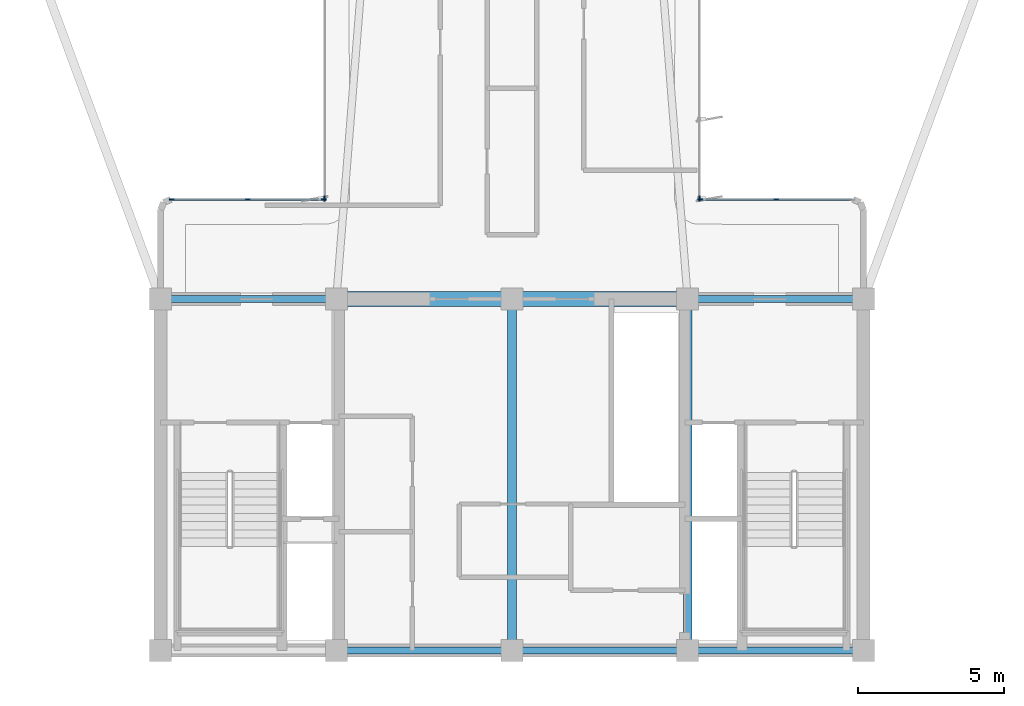
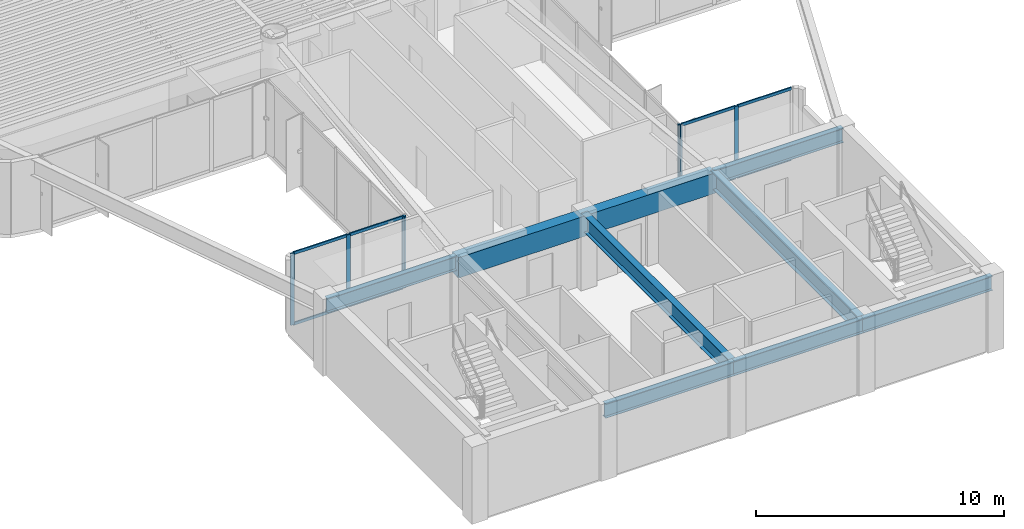
# One storey, part 2 of 14: 15 members, 8 beams, 4 elements without a shape of their own.
"""IFC4 building model written with IfcOpenShell, lengths in metres."""

import ifcopenshell
import ifcopenshell.guid

model = None  # the IFC model being written
_history = None  # IfcOwnerHistory: only IFC2X3 demands one
_inside = {}  # id of a spatial element -> (the spatial element, [elements in it])
_under = {}  # id of a project, library or spatial element -> (it, [spatial elements below it])
_declared = {}  # id of a project -> (the project, [libraries it declares])
_typed = {}  # id of a type object -> (the type object, [elements of that type])
_made_of = {}  # id of a material, layer set ... -> (it, [elements and type objects made of it])


def new_model(schema):
    """Start an empty IFC model of exactly this schema.

    Asked for "IFC4X3", IfcOpenShell would pick the latest addendum, in which some entities
    have other attributes; the version numbers below select the first issue.
    IFC2X3 requires an IfcOwnerHistory on every rooted entity: one is made here for all.
    """
    global model, _history
    if schema == "IFC4X3":
        model = ifcopenshell.file(schema_version=(4, 3, 0, 0))
    else:
        model = ifcopenshell.file(schema=schema)
    _inside.clear()
    _under.clear()
    _declared.clear()
    _typed.clear()
    _made_of.clear()
    _history = None
    if model.schema == "IFC2X3":
        org = make("IfcOrganization", Name="unknown")
        user = make(
            "IfcPersonAndOrganization",
            ThePerson=make("IfcPerson", FamilyName="unknown"),
            TheOrganization=org,
        )
        app = make(
            "IfcApplication",
            ApplicationDeveloper=org,
            Version="unknown",
            ApplicationFullName="unknown",
            ApplicationIdentifier="unknown",
        )
        _history = make(
            "IfcOwnerHistory",
            OwningUser=user,
            OwningApplication=app,
            ChangeAction="ADDED",
            CreationDate=0,
        )
    return model


def make(cls, **values):
    """One entity of the class cls with the attributes given. An attribute that is None is left unset."""
    return model.create_entity(
        cls, **{name: value for name, value in values.items() if value is not None}
    )


def rooted(cls, **values):
    """An entity with a GlobalId (a new one), such as an element, a storey or a relation."""
    return make(cls, GlobalId=ifcopenshell.guid.new(), OwnerHistory=_history, **values)


def si_unit(unit_type, name, prefix=None):
    """IfcSIUnit, for example si_unit("LENGTHUNIT", "METRE", prefix="MILLI")."""
    return make("IfcSIUnit", UnitType=unit_type, Prefix=prefix, Name=name)


def assignment(units):
    """IfcUnitAssignment: the units of a project."""
    return None if units is None else make("IfcUnitAssignment", Units=units)


def point(xyz):
    """IfcCartesianPoint."""
    return None if xyz is None else make("IfcCartesianPoint", Coordinates=xyz)


def direction(xyz):
    """IfcDirection."""
    return None if xyz is None else make("IfcDirection", DirectionRatios=xyz)


def frame(location, z_axis=None, x_axis=None):
    """IfcAxis2Placement3D, a coordinate frame: its origin and axes. An axis left out is left unset."""
    return make(
        "IfcAxis2Placement3D",
        Location=point(location),
        Axis=direction(z_axis),
        RefDirection=direction(x_axis),
    )


def frame_2d(location, x_axis=None):
    """IfcAxis2Placement2D, a coordinate frame in the plane: its origin and x axis."""
    return make(
        "IfcAxis2Placement2D", Location=point(location), RefDirection=direction(x_axis)
    )


def origin():
    """The frame at (0, 0, 0) with its axes left unset."""
    return frame((0.0, 0.0, 0.0))


def origin_2d():
    """The frame at (0, 0) in the plane with its x axis left unset."""
    return frame_2d((0.0, 0.0))


def place(relative_to, where):
    """IfcLocalPlacement: puts the frame where relative to a parent placement (None: the world)."""
    return make(
        "IfcLocalPlacement", PlacementRelTo=relative_to, RelativePlacement=where
    )


def context(
    kind, dimensions, precision=None, world=None, true_north=None, identifier=None
):
    """IfcGeometricRepresentationContext, for example the 3D "Model" context."""
    return make(
        "IfcGeometricRepresentationContext",
        ContextIdentifier=identifier,
        ContextType=kind,
        CoordinateSpaceDimension=dimensions,
        Precision=precision,
        WorldCoordinateSystem=world,
        TrueNorth=true_north,
    )


def subcontext(parent, identifier, kind, view, scale=None):
    """IfcGeometricRepresentationSubContext, for example "Body" below "Model"."""
    return make(
        "IfcGeometricRepresentationSubContext",
        ContextIdentifier=identifier,
        ContextType=kind,
        ParentContext=parent,
        TargetScale=scale,
        TargetView=view,
    )


def project(units=None, contexts=None):
    """IfcProject with its units and contexts."""
    return rooted(
        "IfcProject",
        Name="project",
        RepresentationContexts=contexts,
        UnitsInContext=assignment(units),
    )


def spatial(cls, under=None, at=None, **own):
    """A site, building, storey or space (cls), placed at a placement, below another one or the project."""
    s = rooted(cls, ObjectPlacement=at, **own)
    if under is not None:
        _under.setdefault(under.id(), (under, []))[1].append(s)
    return s


def profile(cls, at=None, kind="AREA", **sizes):
    """A parametric profile (cls). Its sizes go by their IFC names, for example OverallWidth=200.0."""
    return make(cls, ProfileType=kind, Position=at, **sizes)


def rectangle(**sizes):
    """IfcRectangleProfileDef."""
    return profile("IfcRectangleProfileDef", **sizes)


def i_section(**sizes):
    """IfcIShapeProfileDef."""
    return profile("IfcIShapeProfileDef", **sizes)


def extrude(swept, where, along, depth):
    """IfcExtrudedAreaSolid: the profile swept, set in the frame where, extruded along a direction by depth."""
    return make(
        "IfcExtrudedAreaSolid",
        SweptArea=swept,
        Position=where,
        ExtrudedDirection=direction(along),
        Depth=depth,
    )


def shape(context_of_items, identifier, shape_type, items):
    """IfcShapeRepresentation: the items that make up one representation, for example the "Body"."""
    return make(
        "IfcShapeRepresentation",
        ContextOfItems=context_of_items,
        RepresentationIdentifier=identifier,
        RepresentationType=shape_type,
        Items=items,
    )


def source(mapping_origin, context_of_items, identifier, shape_type, items):
    """IfcRepresentationMap: a shape defined once, which mapped items show again and again."""
    return make(
        "IfcRepresentationMap",
        MappingOrigin=mapping_origin,
        MappedRepresentation=shape(context_of_items, identifier, shape_type, items),
    )


def transform(
    local_origin,
    x_axis=None,
    y_axis=None,
    z_axis=None,
    scale=None,
    scale2=None,
    scale3=None,
    uniform=True,
):
    """IfcCartesianTransformationOperator3D, or its non-uniform kind. x_axis, y_axis, z_axis: its Axis1, 2, 3."""
    if uniform:
        return make(
            "IfcCartesianTransformationOperator3D",
            Axis1=direction(x_axis),
            Axis2=direction(y_axis),
            LocalOrigin=point(local_origin),
            Scale=scale,
            Axis3=direction(z_axis),
        )
    return make(
        "IfcCartesianTransformationOperator3DnonUniform",
        Axis1=direction(x_axis),
        Axis2=direction(y_axis),
        LocalOrigin=point(local_origin),
        Scale=scale,
        Axis3=direction(z_axis),
        Scale2=scale2,
        Scale3=scale3,
    )


def mapped(mapping_source, mapping_target):
    """IfcMappedItem: shows the shape of a source again, moved by a transform."""
    return make(
        "IfcMappedItem", MappingSource=mapping_source, MappingTarget=mapping_target
    )


def material(Name=None, Category=None):
    """IfcMaterial."""
    return make("IfcMaterial", Name=Name, Category=Category)


def layer(
    of_material, thickness, ventilated=None, Name=None, Category=None, Priority=None
):
    """IfcMaterialLayer: one layer of a wall or slab, of a material (None: an air gap)."""
    return make(
        "IfcMaterialLayer",
        Material=of_material,
        LayerThickness=thickness,
        IsVentilated=ventilated,
        Name=Name,
        Category=Category,
        Priority=Priority,
    )


def layer_set(layers, Name=None):
    """IfcMaterialLayerSet."""
    return make("IfcMaterialLayerSet", MaterialLayers=layers, LayerSetName=Name)


def material_profile(
    of_material, cross_section, Name=None, Category=None, Priority=None
):
    """IfcMaterialProfile: a cross section and its material."""
    return make(
        "IfcMaterialProfile",
        Name=Name,
        Material=of_material,
        Profile=cross_section,
        Priority=Priority,
        Category=Category,
    )


def profile_set(profiles, Name=None, composite=None):
    """IfcMaterialProfileSet."""
    return make(
        "IfcMaterialProfileSet",
        Name=Name,
        MaterialProfiles=profiles,
        CompositeProfile=composite,
    )


def made_of(thing, what):
    """Note that an element or type object is made of a material, layer set ...; save() writes the relation."""
    if what is not None:
        _made_of.setdefault(what.id(), (what, []))[1].append(thing)
    return thing


def type_object(cls, material=None, **own):
    """A type object (cls), such as IfcWallType, which elements share."""
    return made_of(rooted(cls, **own), material)


def element(
    cls,
    number,
    at=None,
    inside=None,
    cuts=None,
    type_object=None,
    material=None,
    context=None,
    identifier="Body",
    shape_type=None,
    held_by="IfcProductDefinitionShape",
    body=None,
    shapes=None,
    **own,
):
    """One element of the class cls, such as IfcWall. Its Tag is "e" and its number.

    at: its placement. inside: the storey or other place that contains it. cuts: it is an
    opening in that element (IfcRelVoidsElement). A single representation is given by context,
    identifier, shape_type and body (its items); several are given by shapes. held_by: the class
    of the entity that holds the representations. save() writes the other relations.
    """
    e = rooted(cls, Tag="e%d" % number, ObjectPlacement=at, **own)
    if body is not None:
        shapes = [shape(context, identifier, shape_type, body)]
    if shapes is not None:
        e.Representation = make(held_by, Representations=shapes)
    if inside is not None:
        _inside.setdefault(inside.id(), (inside, []))[1].append(e)
    if cuts is not None:
        rooted(
            "IfcRelVoidsElement", RelatingBuildingElement=cuts, RelatedOpeningElement=e
        )
    if type_object is not None:
        _typed.setdefault(type_object.id(), (type_object, []))[1].append(e)
    return made_of(e, material)


def aggregate(whole, parts):
    """IfcRelAggregates: a whole, such as a stair, and the parts it consists of."""
    return rooted("IfcRelAggregates", RelatingObject=whole, RelatedObjects=parts)


def save(model, path):
    """Write the relations noted so far, then the file.

    IfcRelAggregates (storeys below a building ...), IfcRelContainedInSpatialStructure (elements
    in a storey), IfcRelDefinesByType, IfcRelAssociatesMaterial and IfcRelDeclares: one each for
    every whole, place, type object, material and project.
    """
    for whole, parts in _under.values():
        aggregate(whole, parts)
    for where, things in _inside.values():
        rooted(
            "IfcRelContainedInSpatialStructure",
            RelatedElements=things,
            RelatingStructure=where,
        )
    for kind, things in _typed.values():
        rooted("IfcRelDefinesByType", RelatedObjects=things, RelatingType=kind)
    for what, things in _made_of.values():
        rooted("IfcRelAssociatesMaterial", RelatedObjects=things, RelatingMaterial=what)
    for by, libraries in _declared.values():
        rooted("IfcRelDeclares", RelatingContext=by, RelatedDefinitions=libraries)
    model.write(path)


model = new_model("IFC4")

# Units and contexts
model_context = context("Model", 3, precision=1e-05, world=origin(), true_north=direction((0.0, 1.0)))
body_context = subcontext(model_context, "Body", "Model", "MODEL_VIEW")
ifc_project = project(units=[si_unit("LENGTHUNIT", "METRE"), si_unit("AREAUNIT", "SQUARE_METRE"), si_unit("VOLUMEUNIT", "CUBIC_METRE"), si_unit("PLANEANGLEUNIT", "RADIAN"), si_unit("MASSUNIT", "GRAM", prefix="KILO")], contexts=[model_context])

# Site, building, storey
site_placement = place(None, origin())
site = spatial("IfcSite", under=ifc_project, at=site_placement, CompositionType="ELEMENT")
building_placement = place(site_placement, origin())
building = spatial("IfcBuilding", under=site, at=building_placement, Name="Brelvock Crest Care Tower", CompositionType="ELEMENT")
storey_placement = place(building_placement, frame((0.0, 0.0, 182.8798828125)))
storey = spatial("IfcBuildingStorey", under=building, at=storey_placement, Name="L46", CompositionType="ELEMENT", Elevation=182.8798828125)

# Beams
ifc_material_1 = material(Name="Steel Grade 350", Category="steel")
ifc_material_profile_1 = material_profile(ifc_material_1, i_section(OverallWidth=0.25, OverallDepth=0.699951171875, WebThickness=0.011962890625, FlangeThickness=0.02001953125, at=origin_2d()), Name="700WB150")
ifc_profile_set_1 = profile_set([ifc_material_profile_1], Name="Steel Grade 350")
beam_type_1 = type_object("IfcBeamType", Name="BM-G4", PredefinedType="BEAM", material=ifc_profile_set_1)
shared_shape_1 = source(origin(), body_context, "Body", "SweptSolid", [
    extrude(i_section(OverallWidth=0.25, OverallDepth=0.699951171875, WebThickness=0.011962890625, FlangeThickness=0.02001953125, at=origin_2d()), origin(), (0.0, 0.0, 1.0), 6.0),
])
for number, where, z_axis, x_axis, name in (
    (1, (24.0, 18.0, 3.18017578125), (1.0, 0.0, 0.0), (0.0, 1.0, 0.0), "BM-COREN-L46-1"),
    (2, (30.0, 6.0, 3.18017578125), (1.0, 0.0, 0.0), (0.0, 1.0, 0.0), "BM-CORES-L46-2"),
    (3, (36.0, 6.0, 3.18017578125), (1.0, 0.0, 0.0), (0.0, 1.0, 0.0), "BM-CORES-L46-3"),
    (4, (42.0, 6.0, 3.18017578125), (1.0, 0.0, 0.0), (0.0, 1.0, 0.0), "BM-CORES-L46-4"),
    (5, (42.0, 18.0, 3.18017578125), (1.0, 0.0, 0.0), (0.0, 1.0, 0.0), "BM-COREN-L46-4"),
):
    element("IfcBeam", number, at=place(storey_placement, frame(where, z_axis=z_axis, x_axis=x_axis)), inside=storey, type_object=beam_type_1, Name=name, PredefinedType="BEAM", context=body_context, shape_type="MappedRepresentation", body=[
        mapped(shared_shape_1, transform((0.0, 0.0, 0.0), x_axis=(1.0, 0.0, 0.0), y_axis=(0.0, 1.0, 0.0), z_axis=(0.0, 0.0, 1.0), scale=1.0)),
    ])
ifc_material_profile_2 = material_profile(ifc_material_1, i_section(OverallWidth=0.300048828125, OverallDepth=0.800048828125, WebThickness=0.013916015625, FlangeThickness=0.02197265625, at=origin_2d()), Name="800WB192")
ifc_profile_set_2 = profile_set([ifc_material_profile_2], Name="Steel Grade 350")
beam_type_2 = type_object("IfcBeamType", Name="BM-G5", PredefinedType="BEAM", material=ifc_profile_set_2)
shared_shape_2 = source(origin(), body_context, "Body", "SweptSolid", [
    extrude(i_section(OverallWidth=0.300048828125, OverallDepth=0.800048828125, WebThickness=0.013916015625, FlangeThickness=0.02197265625, at=origin_2d()), origin(), (0.0, 0.0, 1.0), 12.0),
])
for number, where, z_axis, x_axis, name in (
    (6, (36.0, 6.0, 3.130126953125), (0.0, 1.0, 0.0), (-1.0, 0.0, 0.0), "BM-COREX-L46-3"),
    (7, (42.0, 6.0, 3.130126953125), (0.0, 1.0, 0.0), (-1.0, 0.0, 0.0), "BM-COREX-L46-4"),
):
    element("IfcBeam", number, at=place(storey_placement, frame(where, z_axis=z_axis, x_axis=x_axis)), inside=storey, type_object=beam_type_2, Name=name, PredefinedType="BEAM", context=body_context, shape_type="MappedRepresentation", body=[
        mapped(shared_shape_2, transform((0.0, 0.0, 0.0), x_axis=(1.0, 0.0, 0.0), y_axis=(0.0, 1.0, 0.0), z_axis=(0.0, 0.0, 1.0), scale=1.0)),
    ])
ifc_material_2 = material(Name="Concrete S65 (65 MPa)", Category="concrete")
ifc_material_profile_3 = material_profile(ifc_material_2, rectangle(XDim=0.5, YDim=1.0, at=origin_2d()), Name="RC500x1000")
ifc_profile_set_3 = profile_set([ifc_material_profile_3], Name="Concrete S65 (65 MPa)")
beam_type_3 = type_object("IfcBeamType", Name="BM-LN2", PredefinedType="LINTEL", material=ifc_profile_set_3)
shared_shape_3 = source(origin(), body_context, "Body", "SweptSolid", [
    extrude(rectangle(XDim=0.5, YDim=1.0, at=origin_2d()), origin(), (0.0, 0.0, 1.0), 12.0),
])
beam_placement = place(storey_placement, frame((30.0, 18.0, 3.030029296875), z_axis=(1.0, 0.0, 0.0), x_axis=(0.0, 1.0, 0.0)))
element("IfcBeam", 8, at=beam_placement, inside=storey, type_object=beam_type_3, Name="L46 Core Coupling Lintel Beam", PredefinedType="LINTEL", context=body_context, shape_type="MappedRepresentation", body=[
    mapped(shared_shape_3, transform((0.0, 0.0, 0.0), x_axis=(1.0, 0.0, 0.0), y_axis=(0.0, 1.0, 0.0), z_axis=(0.0, 0.0, 1.0), scale=1.0)),
])

# Curtain wall, members
ifc_material_3 = material(Name="Dark Glass Double Glazed Low-E", Category="glass")
ifc_layer = layer(ifc_material_3, 0.22509765625, Name="CWS-4")
ifc_layer_set = layer_set([ifc_layer], Name="Dark Glass Double Glazed Low-E")
curtain_wall_type = type_object("IfcCurtainWallType", Name="CWS-4", PredefinedType="NOTDEFINED", material=ifc_layer_set)
curtain_wall_1_placement = place(storey_placement, origin())
curtain_wall_1 = element("IfcCurtainWall", 9, at=curtain_wall_1_placement, inside=storey, type_object=curtain_wall_type, Name="L46 Curtain Wall E10", PredefinedType="NOTDEFINED")
ifc_material_4 = material(Name="Aluminium 6063-T6", Category="aluminium")
ifc_material_profile_4 = material_profile(ifc_material_4, rectangle(XDim=0.06005859375, YDim=0.179931640625, at=origin_2d()), Name="ALU60x180")
ifc_profile_set_4 = profile_set([ifc_material_profile_4], Name="Aluminium 6063-T6")
member_type_1 = type_object("IfcMemberType", Name="CWM-2", PredefinedType="MULLION", material=ifc_profile_set_4)
shared_shape_4 = source(origin(), body_context, "Body", "SweptSolid", [
    extrude(rectangle(XDim=0.06005859375, YDim=0.179931640625, at=origin_2d()), origin(), (0.0, 0.0, 1.0), 3.530029296875),
])
member_1_placement = place(storey_placement, frame((24.3798828125, 21.39990234375, 0.0), z_axis=(0.0, 0.0, 1.0), x_axis=(0.0, 1.0, 0.0)))
member_1 = element("IfcMember", 10, at=member_1_placement, type_object=member_type_1, Name="CW-4 mullion 1", PredefinedType="MULLION", context=body_context, shape_type="MappedRepresentation", body=[
    mapped(shared_shape_4, transform((0.0, 0.0, 0.0), x_axis=(1.0, 0.0, 0.0), y_axis=(0.0, 1.0, 0.0), z_axis=(0.0, 0.0, 1.0), scale=1.0)),
])
member_2_placement = place(storey_placement, frame((26.97509765625, 21.39990234375, 0.0), z_axis=(0.0, 0.0, 1.0), x_axis=(0.0, 1.0, 0.0)))
member_2 = element("IfcMember", 11, at=member_2_placement, type_object=member_type_1, Name="CW-4 mullion 2", PredefinedType="MULLION", context=body_context, shape_type="MappedRepresentation", body=[
    mapped(shared_shape_4, transform((0.0, 0.0, 0.0), x_axis=(1.0, 0.0, 0.0), y_axis=(0.0, 1.0, 0.0), z_axis=(0.0, 0.0, 1.0), scale=1.0)),
])
member_3_placement = place(storey_placement, frame((29.570068359375, 21.39990234375, 0.0), z_axis=(0.0, 0.0, 1.0), x_axis=(0.0, 1.0, 0.0)))
member_3 = element("IfcMember", 12, at=member_3_placement, type_object=member_type_1, Name="CW-4 mullion 3", PredefinedType="MULLION", context=body_context, shape_type="MappedRepresentation", body=[
    mapped(shared_shape_4, transform((0.0, 0.0, 0.0), x_axis=(1.0, 0.0, 0.0), y_axis=(0.0, 1.0, 0.0), z_axis=(0.0, 0.0, 1.0), scale=1.0)),
])

# Curtain wall, member
curtain_wall_2_placement = place(storey_placement, origin())
curtain_wall_2 = element("IfcCurtainWall", 13, at=curtain_wall_2_placement, inside=storey, type_object=curtain_wall_type, Name="L46 Curtain Wall E11", PredefinedType="NOTDEFINED")
member_4_placement = place(storey_placement, frame((29.60009765625, 21.429931640625, 0.0), z_axis=(0.0, 0.0, 1.0), x_axis=(-1.0, 0.0, 0.0)))
member_4 = element("IfcMember", 14, at=member_4_placement, type_object=member_type_1, Name="CW-4 mullion 1", PredefinedType="MULLION", context=body_context, shape_type="MappedRepresentation", body=[
    mapped(shared_shape_4, transform((0.0, 0.0, 0.0), x_axis=(1.0, 0.0, 0.0), y_axis=(0.0, 1.0, 0.0), z_axis=(0.0, 0.0, 1.0), scale=1.0)),
])
aggregate(curtain_wall_2, [member_4])

curtain_wall_3_placement = place(storey_placement, origin())
curtain_wall_3 = element("IfcCurtainWall", 15, at=curtain_wall_3_placement, inside=storey, type_object=curtain_wall_type, Name="L46 Curtain Wall E45", PredefinedType="NOTDEFINED")
member_5_placement = place(storey_placement, frame((42.39990234375, 21.429931640625, 0.0), z_axis=(0.0, 0.0, 1.0), x_axis=(1.0, 0.0, 0.0)))
member_5 = element("IfcMember", 16, at=member_5_placement, type_object=member_type_1, Name="CW-4 mullion 5", PredefinedType="MULLION", context=body_context, shape_type="MappedRepresentation", body=[
    mapped(shared_shape_4, transform((0.0, 0.0, 0.0), x_axis=(1.0, 0.0, 0.0), y_axis=(0.0, 1.0, 0.0), z_axis=(0.0, 0.0, 1.0), scale=1.0)),
])
aggregate(curtain_wall_3, [member_5])

# Curtain wall, members
curtain_wall_4_placement = place(storey_placement, origin())
curtain_wall_4 = element("IfcCurtainWall", 17, at=curtain_wall_4_placement, inside=storey, type_object=curtain_wall_type, Name="L46 Curtain Wall E46", PredefinedType="NOTDEFINED")
member_6_placement = place(storey_placement, frame((42.429931640625, 21.39990234375, 0.0), z_axis=(0.0, 0.0, 1.0), x_axis=(0.0, 1.0, 0.0)))
member_6 = element("IfcMember", 18, at=member_6_placement, type_object=member_type_1, Name="CW-4 mullion 1", PredefinedType="MULLION", context=body_context, shape_type="MappedRepresentation", body=[
    mapped(shared_shape_4, transform((0.0, 0.0, 0.0), x_axis=(1.0, 0.0, 0.0), y_axis=(0.0, 1.0, 0.0), z_axis=(0.0, 0.0, 1.0), scale=1.0)),
])
member_7_placement = place(storey_placement, frame((45.02490234375, 21.39990234375, 0.0), z_axis=(0.0, 0.0, 1.0), x_axis=(0.0, 1.0, 0.0)))
member_7 = element("IfcMember", 19, at=member_7_placement, type_object=member_type_1, Name="CW-4 mullion 2", PredefinedType="MULLION", context=body_context, shape_type="MappedRepresentation", body=[
    mapped(shared_shape_4, transform((0.0, 0.0, 0.0), x_axis=(1.0, 0.0, 0.0), y_axis=(0.0, 1.0, 0.0), z_axis=(0.0, 0.0, 1.0), scale=1.0)),
])

# Member
ifc_material_profile_5 = material_profile(ifc_material_4, rectangle(XDim=0.06005859375, YDim=0.139892578125, at=origin_2d()), Name="ALU60x140")
ifc_profile_set_5 = profile_set([ifc_material_profile_5], Name="Aluminium 6063-T6")
member_type_2 = type_object("IfcMemberType", Name="CWT-2", PredefinedType="USERDEFINED", material=ifc_profile_set_5)
shared_shape_5 = source(origin(), body_context, "Body", "SweptSolid", [
    extrude(rectangle(XDim=0.06005859375, YDim=0.139892578125, at=origin_2d()), origin(), (0.0, 0.0, 1.0), 2.53515625),
])
member_8_placement = place(storey_placement, frame((24.409912109375, 21.39990234375, 0.030029296875), z_axis=(1.0, 0.0, 0.0), x_axis=(0.0, 1.0, 0.0)))
member_8 = element("IfcMember", 20, at=member_8_placement, type_object=member_type_2, Name="CW-4 transom 1.1", ObjectType="TRANSOM", PredefinedType="USERDEFINED", context=body_context, shape_type="MappedRepresentation", body=[
    mapped(shared_shape_5, transform((0.0, 0.0, 0.0), x_axis=(1.0, 0.0, 0.0), y_axis=(0.0, 1.0, 0.0), z_axis=(0.0, 0.0, 1.0), scale=1.0)),
])

member_9_placement = place(storey_placement, frame((24.409912109375, 21.39990234375, 3.5), z_axis=(1.0, 0.0, 0.0), x_axis=(0.0, 1.0, 0.0)))
member_9 = element("IfcMember", 21, at=member_9_placement, type_object=member_type_2, Name="CW-4 transom 1.2", ObjectType="TRANSOM", PredefinedType="USERDEFINED", context=body_context, shape_type="MappedRepresentation", body=[
    mapped(shared_shape_5, transform((0.0, 0.0, 0.0), x_axis=(1.0, 0.0, 0.0), y_axis=(0.0, 1.0, 0.0), z_axis=(0.0, 0.0, 1.0), scale=1.0)),
])

member_10_placement = place(storey_placement, frame((27.0048828125, 21.39990234375, 0.030029296875), z_axis=(1.0, 0.0, 0.0), x_axis=(0.0, 1.0, 0.0)))
member_10 = element("IfcMember", 22, at=member_10_placement, type_object=member_type_2, Name="CW-4 transom 2.1", ObjectType="TRANSOM", PredefinedType="USERDEFINED", context=body_context, shape_type="MappedRepresentation", body=[
    mapped(shared_shape_5, transform((0.0, 0.0, 0.0), x_axis=(1.0, 0.0, 0.0), y_axis=(0.0, 1.0, 0.0), z_axis=(0.0, 0.0, 1.0), scale=1.0)),
])

member_11_placement = place(storey_placement, frame((27.0048828125, 21.39990234375, 3.5), z_axis=(1.0, 0.0, 0.0), x_axis=(0.0, 1.0, 0.0)))
member_11 = element("IfcMember", 23, at=member_11_placement, type_object=member_type_2, Name="CW-4 transom 2.2", ObjectType="TRANSOM", PredefinedType="USERDEFINED", context=body_context, shape_type="MappedRepresentation", body=[
    mapped(shared_shape_5, transform((0.0, 0.0, 0.0), x_axis=(1.0, 0.0, 0.0), y_axis=(0.0, 1.0, 0.0), z_axis=(0.0, 0.0, 1.0), scale=1.0)),
])

aggregate(curtain_wall_1, [member_1, member_2, member_3, member_8, member_9, member_10, member_11])

member_12_placement = place(storey_placement, frame((42.4599609375, 21.39990234375, 0.030029296875), z_axis=(1.0, 0.0, 0.0), x_axis=(0.0, 1.0, 0.0)))
member_12 = element("IfcMember", 24, at=member_12_placement, type_object=member_type_2, Name="CW-4 transom 1.1", ObjectType="TRANSOM", PredefinedType="USERDEFINED", context=body_context, shape_type="MappedRepresentation", body=[
    mapped(shared_shape_5, transform((0.0, 0.0, 0.0), x_axis=(1.0, 0.0, 0.0), y_axis=(0.0, 1.0, 0.0), z_axis=(0.0, 0.0, 1.0), scale=1.0)),
])

member_13_placement = place(storey_placement, frame((42.4599609375, 21.39990234375, 3.5), z_axis=(1.0, 0.0, 0.0), x_axis=(0.0, 1.0, 0.0)))
member_13 = element("IfcMember", 25, at=member_13_placement, type_object=member_type_2, Name="CW-4 transom 1.2", ObjectType="TRANSOM", PredefinedType="USERDEFINED", context=body_context, shape_type="MappedRepresentation", body=[
    mapped(shared_shape_5, transform((0.0, 0.0, 0.0), x_axis=(1.0, 0.0, 0.0), y_axis=(0.0, 1.0, 0.0), z_axis=(0.0, 0.0, 1.0), scale=1.0)),
])

member_14_placement = place(storey_placement, frame((45.054931640625, 21.39990234375, 0.030029296875), z_axis=(1.0, 0.0, 0.0), x_axis=(0.0, 1.0, 0.0)))
member_14 = element("IfcMember", 26, at=member_14_placement, type_object=member_type_2, Name="CW-4 transom 2.1", ObjectType="TRANSOM", PredefinedType="USERDEFINED", context=body_context, shape_type="MappedRepresentation", body=[
    mapped(shared_shape_5, transform((0.0, 0.0, 0.0), x_axis=(1.0, 0.0, 0.0), y_axis=(0.0, 1.0, 0.0), z_axis=(0.0, 0.0, 1.0), scale=1.0)),
])

member_15_placement = place(storey_placement, frame((45.054931640625, 21.39990234375, 3.5), z_axis=(1.0, 0.0, 0.0), x_axis=(0.0, 1.0, 0.0)))
member_15 = element("IfcMember", 27, at=member_15_placement, type_object=member_type_2, Name="CW-4 transom 2.2", ObjectType="TRANSOM", PredefinedType="USERDEFINED", context=body_context, shape_type="MappedRepresentation", body=[
    mapped(shared_shape_5, transform((0.0, 0.0, 0.0), x_axis=(1.0, 0.0, 0.0), y_axis=(0.0, 1.0, 0.0), z_axis=(0.0, 0.0, 1.0), scale=1.0)),
])

aggregate(curtain_wall_4, [member_6, member_7, member_12, member_13, member_14, member_15])

save(model, "model.ifc")
